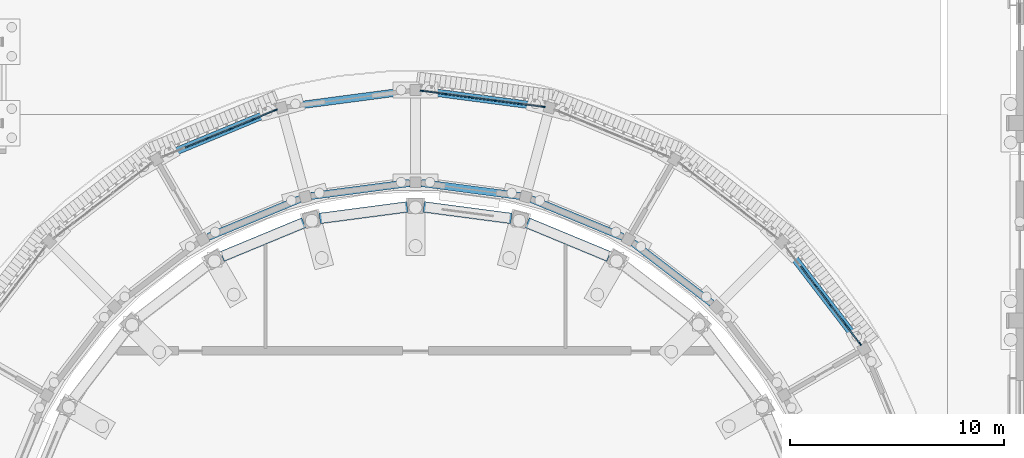
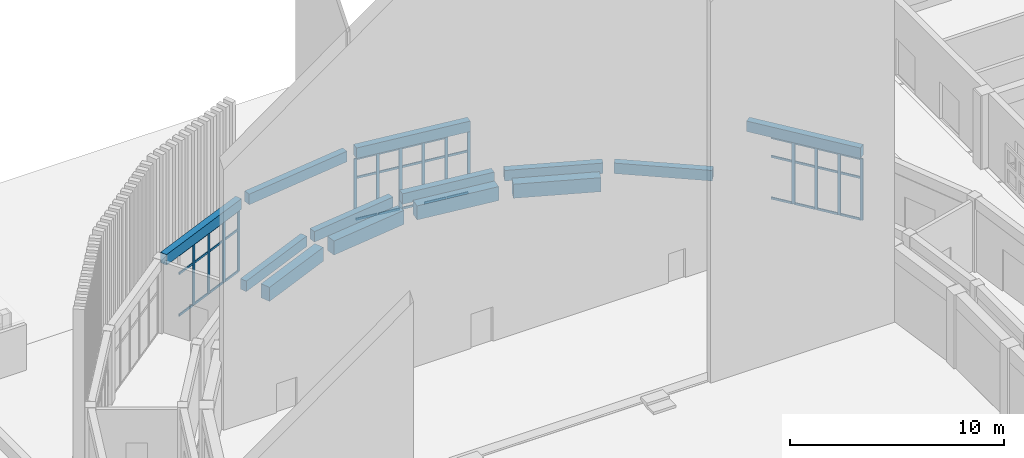
# One storey, part 33 of 112: 52 members, 13 beams, 3 elements without a shape of their own.
"""IFC4 building model written with IfcOpenShell, lengths in metres."""

from ifc_helpers import new_model, si_unit, direction, frame, origin, origin_2d, place, context, subcontext, project, spatial, rectangle, extrude, material, layer, layer_set, material_profile, profile_set, type_object, element, aggregate, save


model = new_model("IFC4")

# Units and contexts
model_context = context("Model", 3, precision=1e-05, world=origin(), true_north=direction((0.0, 1.0)))
body_context = subcontext(model_context, "Body", "Model", "MODEL_VIEW")
ifc_project = project(units=[si_unit("LENGTHUNIT", "METRE"), si_unit("AREAUNIT", "SQUARE_METRE"), si_unit("VOLUMEUNIT", "CUBIC_METRE"), si_unit("PLANEANGLEUNIT", "RADIAN"), si_unit("MASSUNIT", "GRAM", prefix="KILO")], contexts=[model_context])

# Site, building, storey
site_placement = place(None, origin())
site = spatial("IfcSite", under=ifc_project, at=site_placement, CompositionType="ELEMENT")
building_placement = place(site_placement, origin())
building = spatial("IfcBuilding", under=site, at=building_placement, Name="Wasatch Bagh Community Centre", CompositionType="ELEMENT")
storey_placement = place(building_placement, origin())
storey = spatial("IfcBuildingStorey", under=building, at=storey_placement, Name="L00", CompositionType="ELEMENT", Elevation=0.0)

# Curtain wall, members
ifc_material_1 = material(Name="Aluminium curtain wall frame with low-iron insulated glass", Category="aluminium")
ifc_layer = layer(ifc_material_1, 0.14990234375)
ifc_layer_set = layer_set([ifc_layer], Name="Aluminium curtain wall frame with low-iron insulated glass")
curtain_wall_type = type_object("IfcCurtainWallType", Name="Drum curtain wall DR-CW1", PredefinedType="NOTDEFINED", material=ifc_layer_set)
curtain_wall_1_placement = place(storey_placement, origin())
curtain_wall_1 = element("IfcCurtainWall", 1, at=curtain_wall_1_placement, inside=storey, type_object=curtain_wall_type, Name="Curtain wall DR-CW1 21", PredefinedType="NOTDEFINED")
ifc_material_2 = material(Name="Aluminium curtain wall frame", Category="aluminium")
ifc_material_profile_1 = material_profile(ifc_material_2, rectangle(XDim=0.06005859375, YDim=0.159912109375, at=origin_2d()), Name="Drum mullion DR-CW1")
ifc_profile_set_1 = profile_set([ifc_material_profile_1], Name="Aluminium curtain wall frame")
member_type_1 = type_object("IfcMemberType", Name="Drum mullion DR-CW1", PredefinedType="MULLION", material=ifc_profile_set_1)
member_1_placement = place(storey_placement, frame((56.736328125, 77.30712890625, 0.0), z_axis=(0.0, 0.0, 1.0), x_axis=(-0.793353340196, -0.608761429133, 0.0)))
member_1 = element("IfcMember", 2, at=member_1_placement, type_object=member_type_1, Name="DR-CW1 mullion 1", PredefinedType="MULLION", context=body_context, shape_type="SweptSolid", body=[
    extrude(rectangle(XDim=0.06005859375, YDim=0.159912109375, at=origin_2d()), origin(), (0.0, 0.0, 1.0), 3.5),
])
member_2_placement = place(storey_placement, frame((56.051025390625, 78.2001953125, 0.0), z_axis=(0.0, 0.0, 1.0), x_axis=(-0.793353340196, -0.608761429133, 0.0)))
member_2 = element("IfcMember", 3, at=member_2_placement, type_object=member_type_1, Name="DR-CW1 mullion 2", PredefinedType="MULLION", context=body_context, shape_type="SweptSolid", body=[
    extrude(rectangle(XDim=0.06005859375, YDim=0.159912109375, at=origin_2d()), origin(), (0.0, 0.0, 1.0), 3.5),
])
member_3_placement = place(storey_placement, frame((55.347412109375, 79.1171875, 0.0), z_axis=(0.0, 0.0, 1.0), x_axis=(-0.793353340196, -0.608761429133, 0.0)))
member_3 = element("IfcMember", 4, at=member_3_placement, type_object=member_type_1, Name="DR-CW1 mullion 3", PredefinedType="MULLION", context=body_context, shape_type="SweptSolid", body=[
    extrude(rectangle(XDim=0.06005859375, YDim=0.159912109375, at=origin_2d()), origin(), (0.0, 0.0, 1.0), 3.5),
])
member_4_placement = place(storey_placement, frame((54.643798828125, 80.034423828125, 0.0), z_axis=(0.0, 0.0, 1.0), x_axis=(-0.793353340196, -0.608761429133, 0.0)))
member_4 = element("IfcMember", 5, at=member_4_placement, type_object=member_type_1, Name="DR-CW1 mullion 4", PredefinedType="MULLION", context=body_context, shape_type="SweptSolid", body=[
    extrude(rectangle(XDim=0.06005859375, YDim=0.159912109375, at=origin_2d()), origin(), (0.0, 0.0, 1.0), 3.5),
])

curtain_wall_2_placement = place(storey_placement, origin())
curtain_wall_2 = element("IfcCurtainWall", 6, at=curtain_wall_2_placement, inside=storey, type_object=curtain_wall_type, Name="Curtain wall DR-CW1 24", PredefinedType="NOTDEFINED")
member_5_placement = place(storey_placement, frame((41.96044921875, 88.365234375, 0.0), z_axis=(0.0, 0.0, 1.0), x_axis=(-0.130526192185, -0.991444861378, 0.0)))
member_5 = element("IfcMember", 7, at=member_5_placement, type_object=member_type_1, Name="DR-CW1 mullion 1", PredefinedType="MULLION", context=body_context, shape_type="SweptSolid", body=[
    extrude(rectangle(XDim=0.06005859375, YDim=0.159912109375, at=origin_2d()), origin(), (0.0, 0.0, 1.0), 3.5),
])
member_6_placement = place(storey_placement, frame((40.84423828125, 88.51220703125, 0.0), z_axis=(0.0, 0.0, 1.0), x_axis=(-0.130526192185, -0.991444861378, 0.0)))
member_6 = element("IfcMember", 8, at=member_6_placement, type_object=member_type_1, Name="DR-CW1 mullion 2", PredefinedType="MULLION", context=body_context, shape_type="SweptSolid", body=[
    extrude(rectangle(XDim=0.06005859375, YDim=0.159912109375, at=origin_2d()), origin(), (0.0, 0.0, 1.0), 3.5),
])
member_7_placement = place(storey_placement, frame((39.6982421875, 88.6630859375, 0.0), z_axis=(0.0, 0.0, 1.0), x_axis=(-0.130526192185, -0.991444861378, 0.0)))
member_7 = element("IfcMember", 9, at=member_7_placement, type_object=member_type_1, Name="DR-CW1 mullion 3", PredefinedType="MULLION", context=body_context, shape_type="SweptSolid", body=[
    extrude(rectangle(XDim=0.06005859375, YDim=0.159912109375, at=origin_2d()), origin(), (0.0, 0.0, 1.0), 3.5),
])
member_8_placement = place(storey_placement, frame((38.55224609375, 88.81396484375, 0.0), z_axis=(0.0, 0.0, 1.0), x_axis=(-0.130526192185, -0.991444861378, 0.0)))
member_8 = element("IfcMember", 10, at=member_8_placement, type_object=member_type_1, Name="DR-CW1 mullion 4", PredefinedType="MULLION", context=body_context, shape_type="SweptSolid", body=[
    extrude(rectangle(XDim=0.06005859375, YDim=0.159912109375, at=origin_2d()), origin(), (0.0, 0.0, 1.0), 3.5),
])
member_9_placement = place(storey_placement, frame((37.40625, 88.96484375, 0.0), z_axis=(0.0, 0.0, 1.0), x_axis=(-0.130526192185, -0.991444861378, 0.0)))
member_9 = element("IfcMember", 11, at=member_9_placement, type_object=member_type_1, Name="DR-CW1 mullion 5", PredefinedType="MULLION", context=body_context, shape_type="SweptSolid", body=[
    extrude(rectangle(XDim=0.06005859375, YDim=0.159912109375, at=origin_2d()), origin(), (0.0, 0.0, 1.0), 3.5),
])
member_10_placement = place(storey_placement, frame((36.2900390625, 89.11181640625, 0.0), z_axis=(0.0, 0.0, 1.0), x_axis=(-0.130526192185, -0.991444861378, 0.0)))
member_10 = element("IfcMember", 12, at=member_10_placement, type_object=member_type_1, Name="DR-CW1 mullion 6", PredefinedType="MULLION", context=body_context, shape_type="SweptSolid", body=[
    extrude(rectangle(XDim=0.06005859375, YDim=0.159912109375, at=origin_2d()), origin(), (0.0, 0.0, 1.0), 3.5),
])

curtain_wall_3_placement = place(storey_placement, origin())
curtain_wall_3 = element("IfcCurtainWall", 13, at=curtain_wall_3_placement, inside=storey, type_object=curtain_wall_type, Name="Curtain wall DR-CW1 26", PredefinedType="NOTDEFINED")
member_11_placement = place(storey_placement, frame((29.479248046875, 88.215087890625, 0.0), z_axis=(0.0, 0.0, 1.0), x_axis=(0.38268343251, -0.923879532451, 0.0)))
member_11 = element("IfcMember", 14, at=member_11_placement, type_object=member_type_1, Name="DR-CW1 mullion 1", PredefinedType="MULLION", context=body_context, shape_type="SweptSolid", body=[
    extrude(rectangle(XDim=0.06005859375, YDim=0.159912109375, at=origin_2d()), origin(), (0.0, 0.0, 1.0), 3.5),
])
member_12_placement = place(storey_placement, frame((28.439208984375, 87.784423828125, 0.0), z_axis=(0.0, 0.0, 1.0), x_axis=(0.38268343251, -0.923879532451, 0.0)))
member_12 = element("IfcMember", 15, at=member_12_placement, type_object=member_type_1, Name="DR-CW1 mullion 2", PredefinedType="MULLION", context=body_context, shape_type="SweptSolid", body=[
    extrude(rectangle(XDim=0.06005859375, YDim=0.159912109375, at=origin_2d()), origin(), (0.0, 0.0, 1.0), 3.5),
])
member_13_placement = place(storey_placement, frame((27.37109375, 87.342041015625, 0.0), z_axis=(0.0, 0.0, 1.0), x_axis=(0.38268343251, -0.923879532451, 0.0)))
member_13 = element("IfcMember", 16, at=member_13_placement, type_object=member_type_1, Name="DR-CW1 mullion 3", PredefinedType="MULLION", context=body_context, shape_type="SweptSolid", body=[
    extrude(rectangle(XDim=0.06005859375, YDim=0.159912109375, at=origin_2d()), origin(), (0.0, 0.0, 1.0), 3.5),
])
member_14_placement = place(storey_placement, frame((26.30322265625, 86.899658203125, 0.0), z_axis=(0.0, 0.0, 1.0), x_axis=(0.38268343251, -0.923879532451, 0.0)))
member_14 = element("IfcMember", 17, at=member_14_placement, type_object=member_type_1, Name="DR-CW1 mullion 4", PredefinedType="MULLION", context=body_context, shape_type="SweptSolid", body=[
    extrude(rectangle(XDim=0.06005859375, YDim=0.159912109375, at=origin_2d()), origin(), (0.0, 0.0, 1.0), 3.5),
])

# Beams
ifc_material_3 = material(Name="Concrete C35", Category="concrete")
ifc_material_profile_2 = material_profile(ifc_material_3, rectangle(XDim=0.35009765625, YDim=0.60009765625, at=origin_2d()), Name="RC 350x600")
ifc_profile_set_2 = profile_set([ifc_material_profile_2], Name="Concrete C35")
beam_type_1 = type_object("IfcBeamType", Name="Drum ring beam RC 350x600", PredefinedType="BEAM", material=ifc_profile_set_2)
beam_1_placement = place(storey_placement, frame((49.8173828125, 79.203857421875, 3.89990234375), z_axis=(-0.793352555691, 0.608762451519, 0.0), x_axis=(-0.608762451519, -0.793352555691, 0.0)))
element("IfcBeam", 18, at=beam_1_placement, inside=storey, type_object=beam_type_1, Name="Ring beam 4.2 DI-N3-DI-N4", PredefinedType="BEAM", context=body_context, shape_type="SweptSolid", body=[
    extrude(rectangle(XDim=0.35009765625, YDim=0.60009765625, at=origin_2d()), origin(), (0.0, 0.0, 1.0), 4.63037109375),
])
beam_2_placement = place(storey_placement, frame((45.67041015625, 82.296142578125, 3.89990234375), z_axis=(-0.923884458327, 0.382671540178, 0.0), x_axis=(-0.382671540178, -0.923884458327, 0.0)))
element("IfcBeam", 19, at=beam_2_placement, inside=storey, type_object=beam_type_1, Name="Ring beam 4.2 DI-N4-DI-N5", PredefinedType="BEAM", context=body_context, shape_type="SweptSolid", body=[
    extrude(rectangle(XDim=0.35009765625, YDim=0.60009765625, at=origin_2d()), origin(), (0.0, 0.0, 1.0), 4.630615234375),
])
for number, where, z_axis, x_axis, name in (
    (20, (40.8642578125, 84.209716796875, 3.89990234375), (-0.99144891089, 0.130495429401, 0.0), (-0.130495429401, -0.99144891089, 0.0), "Ring beam 4.2 DI-N5-DI-N6"),
    (21, (35.7265625, 84.81396484375, 3.89990234375), (-0.99144891089, -0.130495429401, 0.0), (0.130495429401, -0.99144891089, 0.0), "Ring beam 4.2 DI-N6-DI-N7"),
):
    element("IfcBeam", number, at=place(storey_placement, frame(where, z_axis=z_axis, x_axis=x_axis)), inside=storey, type_object=beam_type_1, Name=name, PredefinedType="BEAM", context=body_context, shape_type="SweptSolid", body=[
        extrude(rectangle(XDim=0.35009765625, YDim=0.60009765625, at=origin_2d()), origin(), (0.0, 0.0, 1.0), 4.63037109375),
    ])
beam_3_placement = place(storey_placement, frame((30.607666015625, 84.068115234375, 3.89990234375), z_axis=(-0.923884458327, -0.382671540178, 0.0), x_axis=(0.382671540178, -0.923884458327, 0.0)))
element("IfcBeam", 22, at=beam_3_placement, inside=storey, type_object=beam_type_1, Name="Ring beam 4.2 DI-N7-DI-N8", PredefinedType="BEAM", context=body_context, shape_type="SweptSolid", body=[
    extrude(rectangle(XDim=0.35009765625, YDim=0.60009765625, at=origin_2d()), origin(), (0.0, 0.0, 1.0), 4.630615234375),
])
for number, where, z_axis, x_axis, name in (
    (23, (56.74658203125, 77.293701171875, 3.89990234375), (-0.608756673514, 0.793356989288, 0.0), (-0.793356989288, -0.608756673514, 0.0), "Ring beam 4.2 DO-N2-DO-N3"),
    (24, (41.97705078125, 88.363037109375, 3.89990234375), (-0.991443025046, 0.130540139759, 0.0), (-0.130540139759, -0.991443025046, 0.0), "Ring beam 4.2 DO-N5-DO-N6"),
    (25, (35.7265625, 89.114013671875, 3.89990234375), (-0.991443025046, -0.130540139759, 0.0), (0.130540139759, -0.991443025046, 0.0), "Ring beam 4.2 DO-N6-DO-N7"),
):
    element("IfcBeam", number, at=place(storey_placement, frame(where, z_axis=z_axis, x_axis=x_axis)), inside=storey, type_object=beam_type_1, Name=name, PredefinedType="BEAM", context=body_context, shape_type="SweptSolid", body=[
        extrude(rectangle(XDim=0.35009765625, YDim=0.60009765625, at=origin_2d()), origin(), (0.0, 0.0, 1.0), 5.7529296875),
    ])
beam_4_placement = place(storey_placement, frame((29.494873046875, 88.2216796875, 3.89990234375), z_axis=(-0.923877183952, -0.38268910224, 0.0), x_axis=(0.38268910224, -0.923877183952, 0.0)))
element("IfcBeam", 26, at=beam_4_placement, inside=storey, type_object=beam_type_1, Name="Ring beam 4.2 DO-N7-DO-N8", PredefinedType="BEAM", context=body_context, shape_type="SweptSolid", body=[
    extrude(rectangle(XDim=0.35009765625, YDim=0.60009765625, at=origin_2d()), origin(), (0.0, 0.0, 1.0), 5.753173828125),
])

# Member
ifc_material_profile_3 = material_profile(ifc_material_2, rectangle(XDim=0.06005859375, YDim=0.1201171875, at=origin_2d()), Name="Drum transom DR-CW1")
ifc_profile_set_3 = profile_set([ifc_material_profile_3], Name="Aluminium curtain wall frame")
member_type_2 = type_object("IfcMemberType", Name="Drum transom DR-CW1", PredefinedType="USERDEFINED", material=ifc_profile_set_3)
member_15_placement = place(storey_placement, frame((56.71826171875, 77.330810546875, 0.030029296875), z_axis=(-0.608758447006, 0.793355628453, 0.0), x_axis=(-0.793355628453, -0.608758447006, 0.0)))
member_15 = element("IfcMember", 27, at=member_15_placement, type_object=member_type_2, Name="DR-CW1 transom 1.1", ObjectType="TRANSOM", PredefinedType="USERDEFINED", context=body_context, shape_type="SweptSolid", body=[
    extrude(rectangle(XDim=0.06005859375, YDim=0.1201171875, at=origin_2d()), origin(), (0.0, 0.0, 1.0), 1.06591796875),
])

member_16_placement = place(storey_placement, frame((56.71826171875, 77.330810546875, 2.39990234375), z_axis=(-0.608758447006, 0.793355628453, 0.0), x_axis=(-0.793355628453, -0.608758447006, 0.0)))
member_16 = element("IfcMember", 28, at=member_16_placement, type_object=member_type_2, Name="DR-CW1 transom 1.2", ObjectType="TRANSOM", PredefinedType="USERDEFINED", context=body_context, shape_type="SweptSolid", body=[
    extrude(rectangle(XDim=0.06005859375, YDim=0.1201171875, at=origin_2d()), origin(), (0.0, 0.0, 1.0), 1.06591796875),
])

member_17_placement = place(storey_placement, frame((56.71826171875, 77.330810546875, 3.469970703125), z_axis=(-0.608758447006, 0.793355628453, 0.0), x_axis=(-0.793355628453, -0.608758447006, 0.0)))
member_17 = element("IfcMember", 29, at=member_17_placement, type_object=member_type_2, Name="DR-CW1 transom 1.3", ObjectType="TRANSOM", PredefinedType="USERDEFINED", context=body_context, shape_type="SweptSolid", body=[
    extrude(rectangle(XDim=0.06005859375, YDim=0.1201171875, at=origin_2d()), origin(), (0.0, 0.0, 1.0), 1.06591796875),
])

member_18_placement = place(storey_placement, frame((56.03271484375, 78.22412109375, 0.030029296875), z_axis=(-0.608698124672, 0.793401911405, 0.0), x_axis=(-0.793401911405, -0.608698124672, 0.0)))
member_18 = element("IfcMember", 30, at=member_18_placement, type_object=member_type_2, Name="DR-CW1 transom 2.1", ObjectType="TRANSOM", PredefinedType="USERDEFINED", context=body_context, shape_type="SweptSolid", body=[
    extrude(rectangle(XDim=0.06005859375, YDim=0.1201171875, at=origin_2d()), origin(), (0.0, 0.0, 1.0), 1.095703125),
])

member_19_placement = place(storey_placement, frame((56.03271484375, 78.22412109375, 2.39990234375), z_axis=(-0.608698124672, 0.793401911405, 0.0), x_axis=(-0.793401911405, -0.608698124672, 0.0)))
member_19 = element("IfcMember", 31, at=member_19_placement, type_object=member_type_2, Name="DR-CW1 transom 2.2", ObjectType="TRANSOM", PredefinedType="USERDEFINED", context=body_context, shape_type="SweptSolid", body=[
    extrude(rectangle(XDim=0.06005859375, YDim=0.1201171875, at=origin_2d()), origin(), (0.0, 0.0, 1.0), 1.095703125),
])

member_20_placement = place(storey_placement, frame((56.03271484375, 78.22412109375, 3.469970703125), z_axis=(-0.608698124672, 0.793401911405, 0.0), x_axis=(-0.793401911405, -0.608698124672, 0.0)))
member_20 = element("IfcMember", 32, at=member_20_placement, type_object=member_type_2, Name="DR-CW1 transom 2.3", ObjectType="TRANSOM", PredefinedType="USERDEFINED", context=body_context, shape_type="SweptSolid", body=[
    extrude(rectangle(XDim=0.06005859375, YDim=0.1201171875, at=origin_2d()), origin(), (0.0, 0.0, 1.0), 1.095703125),
])

member_21_placement = place(storey_placement, frame((55.3291015625, 79.14111328125, 0.030029296875), z_axis=(-0.608698124672, 0.793401911405, 0.0), x_axis=(-0.793401911405, -0.608698124672, 0.0)))
member_21 = element("IfcMember", 33, at=member_21_placement, type_object=member_type_2, Name="DR-CW1 transom 3.1", ObjectType="TRANSOM", PredefinedType="USERDEFINED", context=body_context, shape_type="SweptSolid", body=[
    extrude(rectangle(XDim=0.06005859375, YDim=0.1201171875, at=origin_2d()), origin(), (0.0, 0.0, 1.0), 1.095703125),
])

member_22_placement = place(storey_placement, frame((55.3291015625, 79.14111328125, 2.39990234375), z_axis=(-0.608698124672, 0.793401911405, 0.0), x_axis=(-0.793401911405, -0.608698124672, 0.0)))
member_22 = element("IfcMember", 34, at=member_22_placement, type_object=member_type_2, Name="DR-CW1 transom 3.2", ObjectType="TRANSOM", PredefinedType="USERDEFINED", context=body_context, shape_type="SweptSolid", body=[
    extrude(rectangle(XDim=0.06005859375, YDim=0.1201171875, at=origin_2d()), origin(), (0.0, 0.0, 1.0), 1.095703125),
])

member_23_placement = place(storey_placement, frame((55.3291015625, 79.14111328125, 3.469970703125), z_axis=(-0.608698124672, 0.793401911405, 0.0), x_axis=(-0.793401911405, -0.608698124672, 0.0)))
member_23 = element("IfcMember", 35, at=member_23_placement, type_object=member_type_2, Name="DR-CW1 transom 3.3", ObjectType="TRANSOM", PredefinedType="USERDEFINED", context=body_context, shape_type="SweptSolid", body=[
    extrude(rectangle(XDim=0.06005859375, YDim=0.1201171875, at=origin_2d()), origin(), (0.0, 0.0, 1.0), 1.095703125),
])

member_24_placement = place(storey_placement, frame((54.62548828125, 80.05810546875, 0.030029296875), z_axis=(-0.608838347721, 0.793294312563, 0.0), x_axis=(-0.793294312563, -0.608838347721, 0.0)))
member_24 = element("IfcMember", 36, at=member_24_placement, type_object=member_type_2, Name="DR-CW1 transom 4.1", ObjectType="TRANSOM", PredefinedType="USERDEFINED", context=body_context, shape_type="SweptSolid", body=[
    extrude(rectangle(XDim=0.06005859375, YDim=0.1201171875, at=origin_2d()), origin(), (0.0, 0.0, 1.0), 1.095947265625),
])

member_25_placement = place(storey_placement, frame((54.62548828125, 80.05810546875, 2.39990234375), z_axis=(-0.608838347721, 0.793294312563, 0.0), x_axis=(-0.793294312563, -0.608838347721, 0.0)))
member_25 = element("IfcMember", 37, at=member_25_placement, type_object=member_type_2, Name="DR-CW1 transom 4.2", ObjectType="TRANSOM", PredefinedType="USERDEFINED", context=body_context, shape_type="SweptSolid", body=[
    extrude(rectangle(XDim=0.06005859375, YDim=0.1201171875, at=origin_2d()), origin(), (0.0, 0.0, 1.0), 1.095947265625),
])

member_26_placement = place(storey_placement, frame((54.62548828125, 80.05810546875, 3.469970703125), z_axis=(-0.608838347721, 0.793294312563, 0.0), x_axis=(-0.793294312563, -0.608838347721, 0.0)))
member_26 = element("IfcMember", 38, at=member_26_placement, type_object=member_type_2, Name="DR-CW1 transom 4.3", ObjectType="TRANSOM", PredefinedType="USERDEFINED", context=body_context, shape_type="SweptSolid", body=[
    extrude(rectangle(XDim=0.06005859375, YDim=0.1201171875, at=origin_2d()), origin(), (0.0, 0.0, 1.0), 1.095947265625),
])

aggregate(curtain_wall_1, [member_1, member_2, member_3, member_4, member_15, member_16, member_17, member_18, member_19, member_20, member_21, member_22, member_23, member_24, member_25, member_26])

member_27_placement = place(storey_placement, frame((41.9306640625, 88.369140625, 0.030029296875), z_axis=(-0.991438694485, 0.130573025845, 0.0), x_axis=(-0.130573025845, -0.991438694485, 0.0)))
member_27 = element("IfcMember", 39, at=member_27_placement, type_object=member_type_2, Name="DR-CW1 transom 1.1", ObjectType="TRANSOM", PredefinedType="USERDEFINED", context=body_context, shape_type="SweptSolid", body=[
    extrude(rectangle(XDim=0.06005859375, YDim=0.1201171875, at=origin_2d()), origin(), (0.0, 0.0, 1.0), 1.065673828125),
])

member_28_placement = place(storey_placement, frame((41.9306640625, 88.369140625, 2.39990234375), z_axis=(-0.991438694485, 0.130573025845, 0.0), x_axis=(-0.130573025845, -0.991438694485, 0.0)))
member_28 = element("IfcMember", 40, at=member_28_placement, type_object=member_type_2, Name="DR-CW1 transom 1.2", ObjectType="TRANSOM", PredefinedType="USERDEFINED", context=body_context, shape_type="SweptSolid", body=[
    extrude(rectangle(XDim=0.06005859375, YDim=0.1201171875, at=origin_2d()), origin(), (0.0, 0.0, 1.0), 1.065673828125),
])

member_29_placement = place(storey_placement, frame((40.814453125, 88.51611328125, 0.030029296875), z_axis=(-0.99144064028, 0.130558250608, 0.0), x_axis=(-0.130558250608, -0.99144064028, 0.0)))
member_29 = element("IfcMember", 41, at=member_29_placement, type_object=member_type_2, Name="DR-CW1 transom 2.1", ObjectType="TRANSOM", PredefinedType="USERDEFINED", context=body_context, shape_type="SweptSolid", body=[
    extrude(rectangle(XDim=0.06005859375, YDim=0.1201171875, at=origin_2d()), origin(), (0.0, 0.0, 1.0), 1.095703125),
])

member_30_placement = place(storey_placement, frame((40.814453125, 88.51611328125, 2.39990234375), z_axis=(-0.99144064028, 0.130558250608, 0.0), x_axis=(-0.130558250608, -0.99144064028, 0.0)))
member_30 = element("IfcMember", 42, at=member_30_placement, type_object=member_type_2, Name="DR-CW1 transom 2.2", ObjectType="TRANSOM", PredefinedType="USERDEFINED", context=body_context, shape_type="SweptSolid", body=[
    extrude(rectangle(XDim=0.06005859375, YDim=0.1201171875, at=origin_2d()), origin(), (0.0, 0.0, 1.0), 1.095703125),
])

member_31_placement = place(storey_placement, frame((40.814453125, 88.51611328125, 3.469970703125), z_axis=(-0.99144064028, 0.130558250608, 0.0), x_axis=(-0.130558250608, -0.99144064028, 0.0)))
member_31 = element("IfcMember", 43, at=member_31_placement, type_object=member_type_2, Name="DR-CW1 transom 2.3", ObjectType="TRANSOM", PredefinedType="USERDEFINED", context=body_context, shape_type="SweptSolid", body=[
    extrude(rectangle(XDim=0.06005859375, YDim=0.1201171875, at=origin_2d()), origin(), (0.0, 0.0, 1.0), 1.095703125),
])

member_32_placement = place(storey_placement, frame((39.66845703125, 88.6669921875, 0.030029296875), z_axis=(-0.99144064028, 0.130558250608, 0.0), x_axis=(-0.130558250608, -0.99144064028, 0.0)))
member_32 = element("IfcMember", 44, at=member_32_placement, type_object=member_type_2, Name="DR-CW1 transom 3.1", ObjectType="TRANSOM", PredefinedType="USERDEFINED", context=body_context, shape_type="SweptSolid", body=[
    extrude(rectangle(XDim=0.06005859375, YDim=0.1201171875, at=origin_2d()), origin(), (0.0, 0.0, 1.0), 1.095703125),
])

member_33_placement = place(storey_placement, frame((39.66845703125, 88.6669921875, 2.39990234375), z_axis=(-0.99144064028, 0.130558250608, 0.0), x_axis=(-0.130558250608, -0.99144064028, 0.0)))
member_33 = element("IfcMember", 45, at=member_33_placement, type_object=member_type_2, Name="DR-CW1 transom 3.2", ObjectType="TRANSOM", PredefinedType="USERDEFINED", context=body_context, shape_type="SweptSolid", body=[
    extrude(rectangle(XDim=0.06005859375, YDim=0.1201171875, at=origin_2d()), origin(), (0.0, 0.0, 1.0), 1.095703125),
])

member_34_placement = place(storey_placement, frame((39.66845703125, 88.6669921875, 3.469970703125), z_axis=(-0.99144064028, 0.130558250608, 0.0), x_axis=(-0.130558250608, -0.99144064028, 0.0)))
member_34 = element("IfcMember", 46, at=member_34_placement, type_object=member_type_2, Name="DR-CW1 transom 3.3", ObjectType="TRANSOM", PredefinedType="USERDEFINED", context=body_context, shape_type="SweptSolid", body=[
    extrude(rectangle(XDim=0.06005859375, YDim=0.1201171875, at=origin_2d()), origin(), (0.0, 0.0, 1.0), 1.095703125),
])

member_35_placement = place(storey_placement, frame((38.5224609375, 88.81787109375, 0.030029296875), z_axis=(-0.99144064028, 0.130558250608, 0.0), x_axis=(-0.130558250608, -0.99144064028, 0.0)))
member_35 = element("IfcMember", 47, at=member_35_placement, type_object=member_type_2, Name="DR-CW1 transom 4.1", ObjectType="TRANSOM", PredefinedType="USERDEFINED", context=body_context, shape_type="SweptSolid", body=[
    extrude(rectangle(XDim=0.06005859375, YDim=0.1201171875, at=origin_2d()), origin(), (0.0, 0.0, 1.0), 1.095703125),
])

member_36_placement = place(storey_placement, frame((38.5224609375, 88.81787109375, 2.39990234375), z_axis=(-0.99144064028, 0.130558250608, 0.0), x_axis=(-0.130558250608, -0.99144064028, 0.0)))
member_36 = element("IfcMember", 48, at=member_36_placement, type_object=member_type_2, Name="DR-CW1 transom 4.2", ObjectType="TRANSOM", PredefinedType="USERDEFINED", context=body_context, shape_type="SweptSolid", body=[
    extrude(rectangle(XDim=0.06005859375, YDim=0.1201171875, at=origin_2d()), origin(), (0.0, 0.0, 1.0), 1.095703125),
])

member_37_placement = place(storey_placement, frame((38.5224609375, 88.81787109375, 3.469970703125), z_axis=(-0.99144064028, 0.130558250608, 0.0), x_axis=(-0.130558250608, -0.99144064028, 0.0)))
member_37 = element("IfcMember", 49, at=member_37_placement, type_object=member_type_2, Name="DR-CW1 transom 4.3", ObjectType="TRANSOM", PredefinedType="USERDEFINED", context=body_context, shape_type="SweptSolid", body=[
    extrude(rectangle(XDim=0.06005859375, YDim=0.1201171875, at=origin_2d()), origin(), (0.0, 0.0, 1.0), 1.095703125),
])

member_38_placement = place(storey_placement, frame((37.37646484375, 88.96875, 0.030029296875), z_axis=(-0.991438694485, 0.130573025845, 0.0), x_axis=(-0.130573025845, -0.991438694485, 0.0)))
member_38 = element("IfcMember", 50, at=member_38_placement, type_object=member_type_2, Name="DR-CW1 transom 5.1", ObjectType="TRANSOM", PredefinedType="USERDEFINED", context=body_context, shape_type="SweptSolid", body=[
    extrude(rectangle(XDim=0.06005859375, YDim=0.1201171875, at=origin_2d()), origin(), (0.0, 0.0, 1.0), 1.065673828125),
])

member_39_placement = place(storey_placement, frame((37.37646484375, 88.96875, 2.39990234375), z_axis=(-0.991438694485, 0.130573025845, 0.0), x_axis=(-0.130573025845, -0.991438694485, 0.0)))
member_39 = element("IfcMember", 51, at=member_39_placement, type_object=member_type_2, Name="DR-CW1 transom 5.2", ObjectType="TRANSOM", PredefinedType="USERDEFINED", context=body_context, shape_type="SweptSolid", body=[
    extrude(rectangle(XDim=0.06005859375, YDim=0.1201171875, at=origin_2d()), origin(), (0.0, 0.0, 1.0), 1.065673828125),
])

member_40_placement = place(storey_placement, frame((37.37646484375, 88.96875, 3.469970703125), z_axis=(-0.991438694485, 0.130573025845, 0.0), x_axis=(-0.130573025845, -0.991438694485, 0.0)))
member_40 = element("IfcMember", 52, at=member_40_placement, type_object=member_type_2, Name="DR-CW1 transom 5.3", ObjectType="TRANSOM", PredefinedType="USERDEFINED", context=body_context, shape_type="SweptSolid", body=[
    extrude(rectangle(XDim=0.06005859375, YDim=0.1201171875, at=origin_2d()), origin(), (0.0, 0.0, 1.0), 1.065673828125),
])

aggregate(curtain_wall_2, [member_5, member_6, member_7, member_8, member_9, member_10, member_27, member_28, member_29, member_30, member_31, member_32, member_33, member_34, member_35, member_36, member_37, member_38, member_39, member_40])

member_41_placement = place(storey_placement, frame((29.45166015625, 88.20361328125, 0.030029296875), z_axis=(-0.923955432606, -0.382500141907, 0.0), x_axis=(0.382500141907, -0.923955432606, 0.0)))
member_41 = element("IfcMember", 53, at=member_41_placement, type_object=member_type_2, Name="DR-CW1 transom 1.1", ObjectType="TRANSOM", PredefinedType="USERDEFINED", context=body_context, shape_type="SweptSolid", body=[
    extrude(rectangle(XDim=0.06005859375, YDim=0.1201171875, at=origin_2d()), origin(), (0.0, 0.0, 1.0), 1.06591796875),
])

member_42_placement = place(storey_placement, frame((29.45166015625, 88.20361328125, 2.39990234375), z_axis=(-0.923955432606, -0.382500141907, 0.0), x_axis=(0.382500141907, -0.923955432606, 0.0)))
member_42 = element("IfcMember", 54, at=member_42_placement, type_object=member_type_2, Name="DR-CW1 transom 1.2", ObjectType="TRANSOM", PredefinedType="USERDEFINED", context=body_context, shape_type="SweptSolid", body=[
    extrude(rectangle(XDim=0.06005859375, YDim=0.1201171875, at=origin_2d()), origin(), (0.0, 0.0, 1.0), 1.06591796875),
])

member_43_placement = place(storey_placement, frame((29.45166015625, 88.20361328125, 3.469970703125), z_axis=(-0.923955432606, -0.382500141907, 0.0), x_axis=(0.382500141907, -0.923955432606, 0.0)))
member_43 = element("IfcMember", 55, at=member_43_placement, type_object=member_type_2, Name="DR-CW1 transom 1.3", ObjectType="TRANSOM", PredefinedType="USERDEFINED", context=body_context, shape_type="SweptSolid", body=[
    extrude(rectangle(XDim=0.06005859375, YDim=0.1201171875, at=origin_2d()), origin(), (0.0, 0.0, 1.0), 1.06591796875),
])

member_44_placement = place(storey_placement, frame((28.411376953125, 87.77294921875, 0.030029296875), z_axis=(-0.923859339579, -0.382732178779, 0.0), x_axis=(0.382732178779, -0.923859339579, 0.0)))
member_44 = element("IfcMember", 56, at=member_44_placement, type_object=member_type_2, Name="DR-CW1 transom 2.1", ObjectType="TRANSOM", PredefinedType="USERDEFINED", context=body_context, shape_type="SweptSolid", body=[
    extrude(rectangle(XDim=0.06005859375, YDim=0.1201171875, at=origin_2d()), origin(), (0.0, 0.0, 1.0), 1.095947265625),
])

member_45_placement = place(storey_placement, frame((28.411376953125, 87.77294921875, 2.39990234375), z_axis=(-0.923859339579, -0.382732178779, 0.0), x_axis=(0.382732178779, -0.923859339579, 0.0)))
member_45 = element("IfcMember", 57, at=member_45_placement, type_object=member_type_2, Name="DR-CW1 transom 2.2", ObjectType="TRANSOM", PredefinedType="USERDEFINED", context=body_context, shape_type="SweptSolid", body=[
    extrude(rectangle(XDim=0.06005859375, YDim=0.1201171875, at=origin_2d()), origin(), (0.0, 0.0, 1.0), 1.095947265625),
])

member_46_placement = place(storey_placement, frame((28.411376953125, 87.77294921875, 3.469970703125), z_axis=(-0.923859339579, -0.382732178779, 0.0), x_axis=(0.382732178779, -0.923859339579, 0.0)))
member_46 = element("IfcMember", 58, at=member_46_placement, type_object=member_type_2, Name="DR-CW1 transom 2.3", ObjectType="TRANSOM", PredefinedType="USERDEFINED", context=body_context, shape_type="SweptSolid", body=[
    extrude(rectangle(XDim=0.06005859375, YDim=0.1201171875, at=origin_2d()), origin(), (0.0, 0.0, 1.0), 1.095947265625),
])

member_47_placement = place(storey_placement, frame((27.343505859375, 87.33056640625, 0.030029296875), z_axis=(-0.923859339579, -0.382732178779, 0.0), x_axis=(0.382732178779, -0.923859339579, 0.0)))
member_47 = element("IfcMember", 59, at=member_47_placement, type_object=member_type_2, Name="DR-CW1 transom 3.1", ObjectType="TRANSOM", PredefinedType="USERDEFINED", context=body_context, shape_type="SweptSolid", body=[
    extrude(rectangle(XDim=0.06005859375, YDim=0.1201171875, at=origin_2d()), origin(), (0.0, 0.0, 1.0), 1.095947265625),
])

member_48_placement = place(storey_placement, frame((27.343505859375, 87.33056640625, 2.39990234375), z_axis=(-0.923859339579, -0.382732178779, 0.0), x_axis=(0.382732178779, -0.923859339579, 0.0)))
member_48 = element("IfcMember", 60, at=member_48_placement, type_object=member_type_2, Name="DR-CW1 transom 3.2", ObjectType="TRANSOM", PredefinedType="USERDEFINED", context=body_context, shape_type="SweptSolid", body=[
    extrude(rectangle(XDim=0.06005859375, YDim=0.1201171875, at=origin_2d()), origin(), (0.0, 0.0, 1.0), 1.095947265625),
])

member_49_placement = place(storey_placement, frame((27.343505859375, 87.33056640625, 3.469970703125), z_axis=(-0.923859339579, -0.382732178779, 0.0), x_axis=(0.382732178779, -0.923859339579, 0.0)))
member_49 = element("IfcMember", 61, at=member_49_placement, type_object=member_type_2, Name="DR-CW1 transom 3.3", ObjectType="TRANSOM", PredefinedType="USERDEFINED", context=body_context, shape_type="SweptSolid", body=[
    extrude(rectangle(XDim=0.06005859375, YDim=0.1201171875, at=origin_2d()), origin(), (0.0, 0.0, 1.0), 1.095947265625),
])

member_50_placement = place(storey_placement, frame((26.275634765625, 86.88818359375, 0.030029296875), z_axis=(-0.923859339579, -0.382732178779, 0.0), x_axis=(0.382732178779, -0.923859339579, 0.0)))
member_50 = element("IfcMember", 62, at=member_50_placement, type_object=member_type_2, Name="DR-CW1 transom 4.1", ObjectType="TRANSOM", PredefinedType="USERDEFINED", context=body_context, shape_type="SweptSolid", body=[
    extrude(rectangle(XDim=0.06005859375, YDim=0.1201171875, at=origin_2d()), origin(), (0.0, 0.0, 1.0), 1.095947265625),
])

member_51_placement = place(storey_placement, frame((26.275634765625, 86.88818359375, 2.39990234375), z_axis=(-0.923859339579, -0.382732178779, 0.0), x_axis=(0.382732178779, -0.923859339579, 0.0)))
member_51 = element("IfcMember", 63, at=member_51_placement, type_object=member_type_2, Name="DR-CW1 transom 4.2", ObjectType="TRANSOM", PredefinedType="USERDEFINED", context=body_context, shape_type="SweptSolid", body=[
    extrude(rectangle(XDim=0.06005859375, YDim=0.1201171875, at=origin_2d()), origin(), (0.0, 0.0, 1.0), 1.095947265625),
])

member_52_placement = place(storey_placement, frame((26.275634765625, 86.88818359375, 3.469970703125), z_axis=(-0.923859339579, -0.382732178779, 0.0), x_axis=(0.382732178779, -0.923859339579, 0.0)))
member_52 = element("IfcMember", 64, at=member_52_placement, type_object=member_type_2, Name="DR-CW1 transom 4.3", ObjectType="TRANSOM", PredefinedType="USERDEFINED", context=body_context, shape_type="SweptSolid", body=[
    extrude(rectangle(XDim=0.06005859375, YDim=0.1201171875, at=origin_2d()), origin(), (0.0, 0.0, 1.0), 1.095947265625),
])

aggregate(curtain_wall_3, [member_11, member_12, member_13, member_14, member_41, member_42, member_43, member_44, member_45, member_46, member_47, member_48, member_49, member_50, member_51, member_52])

# Beams
ifc_material_profile_4 = material_profile(ifc_material_3, rectangle(XDim=0.5, YDim=0.800048828125, at=origin_2d()), Name="RC 500x800")
ifc_profile_set_4 = profile_set([ifc_material_profile_4], Name="Concrete C35")
beam_type_2 = type_object("IfcBeamType", Name="MH ring beam RC 500x800", PredefinedType="BEAM", material=ifc_profile_set_4)
for number, where, z_axis, x_axis, name in (
    (65, (45.01806640625, 81.3857421875, 3.800048828125), (-0.923877504262, 0.382688328955, 0.0), (-0.382688328955, -0.923877504262, 0.0), "Ring beam 4.2 N4-N5"),
    (66, (40.4697265625, 83.16162109375, 3.800048828125), (-0.991450464722, 0.130483623501, 0.0), (-0.130483623501, -0.991450464722, 0.0), "Ring beam 4.2 N5-N6"),
    (67, (35.616943359375, 83.699462890625, 3.800048828125), (-0.991450464722, -0.130483623501, 0.0), (0.130483623501, -0.991450464722, 0.0), "Ring beam 4.2 N6-N7"),
    (68, (30.7900390625, 82.963134765625, 3.800048828125), (-0.923877504262, -0.382688328955, 0.0), (0.382688328955, -0.923877504262, 0.0), "Ring beam 4.2 N7-N8"),
):
    element("IfcBeam", number, at=place(storey_placement, frame(where, z_axis=z_axis, x_axis=x_axis)), inside=storey, type_object=beam_type_2, Name=name, PredefinedType="BEAM", context=body_context, shape_type="SweptSolid", body=[
        extrude(rectangle(XDim=0.5, YDim=0.800048828125, at=origin_2d()), origin(), (0.0, 0.0, 1.0), 4.121826171875),
    ])

save(model, "model.ifc")
